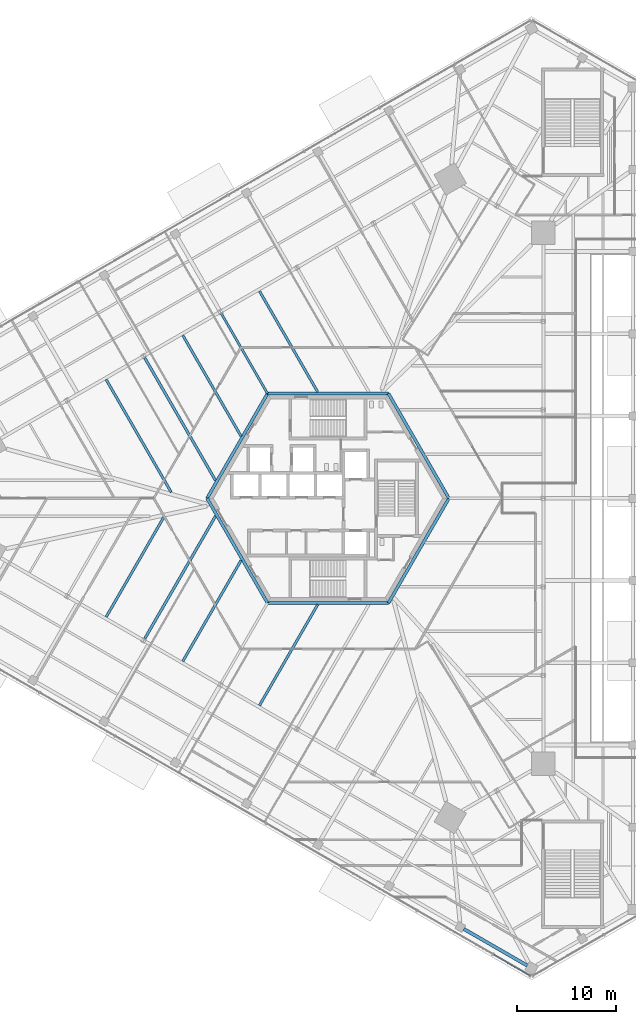
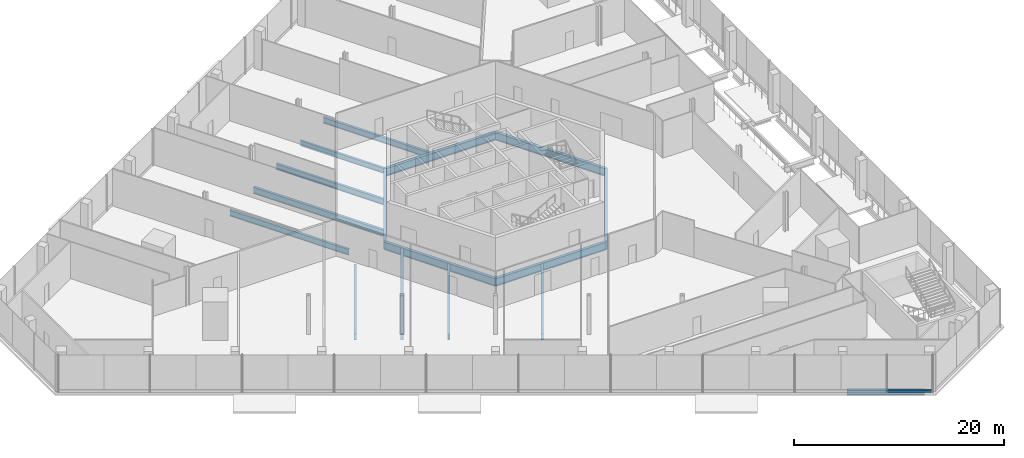
# One storey, part 9 of 27: 16 beams, 1 member, 1 element without a shape of its own.
"""IFC4 building model written with IfcOpenShell, lengths in metres."""

from ifc_helpers import new_model, si_unit, direction, frame, origin, origin_2d, place, context, subcontext, project, spatial, rectangle, i_section, extrude, source, transform, mapped, material, material_profile, profile_set, type_object, element, aggregate, save


model = new_model("IFC4")

# Units and contexts
model_context = context("Model", 3, precision=1e-05, world=origin(), true_north=direction((0.0, 1.0)))
body_context = subcontext(model_context, "Body", "Model", "MODEL_VIEW")
ifc_project = project(units=[si_unit("LENGTHUNIT", "METRE"), si_unit("AREAUNIT", "SQUARE_METRE"), si_unit("VOLUMEUNIT", "CUBIC_METRE"), si_unit("PLANEANGLEUNIT", "RADIAN"), si_unit("MASSUNIT", "GRAM", prefix="KILO")], contexts=[model_context])

# Site, building, storey
site_placement = place(None, origin())
site = spatial("IfcSite", under=ifc_project, at=site_placement, CompositionType="ELEMENT")
building_placement = place(site_placement, origin())
building = spatial("IfcBuilding", under=site, at=building_placement, Name="Triune Harvest Tower", CompositionType="ELEMENT")
storey_placement = place(building_placement, frame((0.0, 0.0, 7.0)))
storey = spatial("IfcBuildingStorey", under=building, at=storey_placement, Name="L01", CompositionType="ELEMENT", Elevation=7.0)

# Beams
ifc_material_1 = material(Name="Steel ASTM A992 Gr 50", Category="steel")
ifc_material_profile_1 = material_profile(ifc_material_1, i_section(OverallWidth=0.3046875, OverallDepth=0.914306640625, WebThickness=0.0166015625, FlangeThickness=0.02587890625, at=origin_2d()), Name="W36x160")
ifc_profile_set_1 = profile_set([ifc_material_profile_1], Name="Steel ASTM A992 Gr 50")
beam_type_1 = type_object("IfcBeamType", Name="CG-1 Core ring girder W36x160", PredefinedType="BEAM", material=ifc_profile_set_1)
shared_shape_1 = source(origin(), body_context, "Body", "SweptSolid", [
    extrude(i_section(OverallWidth=0.3046875, OverallDepth=0.914306640625, WebThickness=0.0166015625, FlangeThickness=0.02587890625, at=origin_2d()), origin(), (0.0, 0.0, 1.0), 12.176025390625),
])
for number, where, z_axis, x_axis, name in (
    (1, (12.176025390625, 0.0, -0.6572265625), (-0.5000099932, 0.866019634131, 0.0), (-0.866019634131, -0.5000099932, 0.0), "beam/L01/CG1"),
    (2, (-6.087890625, 10.544677734375, -0.6572265625), (-0.5000099932, -0.866019634131, 0.0), (0.866019634131, -0.5000099932, 0.0), "beam/L01/CG3"),
    (3, (-12.176025390625, 0.0, -0.6572265625), (0.5000099932, -0.866019634131, 0.0), (0.866019634131, 0.5000099932, 0.0), "beam/L01/CG4"),
    (4, (6.087890625, -10.544677734375, -0.6572265625), (0.5000099932, 0.866019634131, 0.0), (-0.866019634131, 0.5000099932, 0.0), "beam/L01/CG6"),
):
    element("IfcBeam", number, at=place(storey_placement, frame(where, z_axis=z_axis, x_axis=x_axis)), inside=storey, type_object=beam_type_1, Name=name, PredefinedType="BEAM", context=body_context, shape_type="MappedRepresentation", body=[
        mapped(shared_shape_1, transform((0.0, 0.0, 0.0), scale=1.0)),
    ])
shared_shape_2 = source(origin(), body_context, "Body", "SweptSolid", [
    extrude(i_section(OverallWidth=0.3046875, OverallDepth=0.914306640625, WebThickness=0.0166015625, FlangeThickness=0.02587890625, at=origin_2d()), origin(), (0.0, 0.0, 1.0), 12.17578125),
])
for number, where, z_axis, x_axis, name in (
    (5, (6.087890625, 10.544677734375, -0.6572265625), (-1.0, 0.0, 0.0), (0.0, -1.0, 0.0), "beam/L01/CG2"),
    (6, (-6.087890625, -10.544677734375, -0.6572265625), (1.0, 0.0, 0.0), (0.0, 1.0, 0.0), "beam/L01/CG5"),
):
    element("IfcBeam", number, at=place(storey_placement, frame(where, z_axis=z_axis, x_axis=x_axis)), inside=storey, type_object=beam_type_1, Name=name, PredefinedType="BEAM", context=body_context, shape_type="MappedRepresentation", body=[
        mapped(shared_shape_2, transform((0.0, 0.0, 0.0), scale=1.0)),
    ])
ifc_material_2 = material(Name="Steel ASTM A992 Gr 50", Category="steel")
ifc_material_profile_2 = material_profile(ifc_material_2, i_section(OverallWidth=0.2666015625, OverallDepth=0.7568359375, WebThickness=0.013916015625, FlangeThickness=0.019287109375, at=origin_2d()), Name="W30x108")
ifc_profile_set_2 = profile_set([ifc_material_profile_2], Name="Steel ASTM A992 Gr 50")
beam_type_2 = type_object("IfcBeamType", Name="JT-5 Floor joist W30x108", PredefinedType="JOIST", material=ifc_profile_set_2)
shared_shape_3 = source(origin(), body_context, "Body", "SweptSolid", [
    extrude(i_section(OverallWidth=0.2666015625, OverallDepth=0.7568359375, WebThickness=0.013916015625, FlangeThickness=0.019287109375, at=origin_2d()), origin(), (0.0, 0.0, 1.0), 14.2685546875),
])
for number, where, z_axis, x_axis, name in (
    (7, (-18.454345703125, 14.14404296875, -0.57861328125), (0.499987083308, -0.866032861112, 0.0), (0.866032861112, 0.499987083308, 0.0), "beam/L01/JT21"),
    (8, (-18.454345703125, -14.14404296875, -0.57861328125), (0.499987083308, 0.866032861112, 0.0), (-0.866032861112, 0.499987083308, 0.0), "beam/L01/JT30"),
):
    element("IfcBeam", number, at=place(storey_placement, frame(where, z_axis=z_axis, x_axis=x_axis)), inside=storey, type_object=beam_type_2, Name=name, PredefinedType="JOIST", context=body_context, shape_type="MappedRepresentation", body=[
        mapped(shared_shape_3, transform((0.0, 0.0, 0.0), scale=1.0)),
    ])
ifc_material_3 = material(Name="Steel ASTM A992 Gr 50", Category="steel")
ifc_material_profile_3 = material_profile(ifc_material_3, i_section(OverallWidth=0.253662109375, OverallDepth=0.683349609375, WebThickness=0.012451171875, FlangeThickness=0.01904296875, at=origin_2d()), Name="W27x94")
ifc_profile_set_3 = profile_set([ifc_material_profile_3], Name="Steel ASTM A992 Gr 50")
beam_type_3 = type_object("IfcBeamType", Name="JT-4 Floor joist W27x94", PredefinedType="JOIST", material=ifc_profile_set_3)
shared_shape_4 = source(origin(), body_context, "Body", "SweptSolid", [
    extrude(i_section(OverallWidth=0.253662109375, OverallDepth=0.683349609375, WebThickness=0.012451171875, FlangeThickness=0.01904296875, at=origin_2d()), origin(), (0.0, 0.0, 1.0), 11.744873046875),
])
for number, where, z_axis, x_axis, name in (
    (9, (-6.904052734375, 20.868408203125, -0.54150390625), (0.499991161602, -0.866030506576, 0.0), (0.866030506576, 0.499991161602, 0.0), "beam/L01/JT18"),
    (10, (-6.904052734375, -20.868408203125, -0.54150390625), (0.499991161602, 0.866030506576, 0.0), (-0.866030506576, 0.499991161602, 0.0), "beam/L01/JT33"),
):
    element("IfcBeam", number, at=place(storey_placement, frame(where, z_axis=z_axis, x_axis=x_axis)), inside=storey, type_object=beam_type_3, Name=name, PredefinedType="JOIST", context=body_context, shape_type="MappedRepresentation", body=[
        mapped(shared_shape_4, transform((0.0, 0.0, 0.0), scale=1.0)),
    ])
shared_shape_5 = source(origin(), body_context, "Body", "SweptSolid", [
    extrude(i_section(OverallWidth=0.253662109375, OverallDepth=0.683349609375, WebThickness=0.012451171875, FlangeThickness=0.01904296875, at=origin_2d()), origin(), (0.0, 0.0, 1.0), 11.616455078125),
])
beam_1_placement = place(storey_placement, frame((-22.336669921875, -11.958251953125, -0.54150390625), z_axis=(0.500011109571, 0.866018989576, 0.0), x_axis=(-0.866018989576, 0.500011109571, 0.0)))
element("IfcBeam", 11, at=beam_1_placement, inside=storey, type_object=beam_type_3, Name="beam/L01/JT29", PredefinedType="JOIST", context=body_context, shape_type="MappedRepresentation", body=[
    mapped(shared_shape_5, transform((0.0, 0.0, 0.0), scale=1.0)),
])
ifc_material_4 = material(Name="Steel ASTM A992 Gr 50", Category="steel")
ifc_material_profile_4 = material_profile(ifc_material_4, i_section(OverallWidth=0.22900390625, OverallDepth=0.612060546875, WebThickness=0.011962890625, FlangeThickness=0.01953125, at=origin_2d()), Name="W24x84")
ifc_profile_set_4 = profile_set([ifc_material_profile_4], Name="Steel ASTM A992 Gr 50")
beam_type_4 = type_object("IfcBeamType", Name="JT-3 Floor joist W24x84", PredefinedType="JOIST", material=ifc_profile_set_4)
shared_shape_6 = source(origin(), body_context, "Body", "SweptSolid", [
    extrude(i_section(OverallWidth=0.22900390625, OverallDepth=0.612060546875, WebThickness=0.011962890625, FlangeThickness=0.01953125, at=origin_2d()), origin(), (0.0, 0.0, 1.0), 9.300537109375),
])
beam_2_placement = place(storey_placement, frame((-10.738037109375, 18.59912109375, -0.506103515625), z_axis=(0.49999285859, -0.86602952684, 0.0), x_axis=(0.86602952684, 0.49999285859, 0.0)))
element("IfcBeam", 12, at=beam_2_placement, inside=storey, type_object=beam_type_4, Name="beam/L01/JT19", PredefinedType="JOIST", context=body_context, shape_type="MappedRepresentation", body=[
    mapped(shared_shape_6, transform((0.0, 0.0, 0.0), scale=1.0)),
])
shared_shape_7 = source(origin(), body_context, "Body", "SweptSolid", [
    extrude(i_section(OverallWidth=0.253662109375, OverallDepth=0.683349609375, WebThickness=0.012451171875, FlangeThickness=0.01904296875, at=origin_2d()), origin(), (0.0, 0.0, 1.0), 11.74462890625),
])
for number, where, z_axis, x_axis, name in (
    (13, (-14.620361328125, 16.413330078125, -0.54150390625), (0.500000162692, -0.866025309854, 0.0), (0.866025309854, 0.500000162692, 0.0), "beam/L01/JT20"),
    (14, (-14.620361328125, -16.413330078125, -0.54150390625), (0.500000162692, 0.866025309854, 0.0), (-0.866025309854, 0.500000162692, 0.0), "beam/L01/JT31"),
):
    element("IfcBeam", number, at=place(storey_placement, frame(where, z_axis=z_axis, x_axis=x_axis)), inside=storey, type_object=beam_type_3, Name=name, PredefinedType="JOIST", context=body_context, shape_type="MappedRepresentation", body=[
        mapped(shared_shape_7, transform((0.0, 0.0, 0.0), scale=1.0)),
    ])
shared_shape_8 = source(origin(), body_context, "Body", "SweptSolid", [
    extrude(i_section(OverallWidth=0.253662109375, OverallDepth=0.683349609375, WebThickness=0.012451171875, FlangeThickness=0.01904296875, at=origin_2d()), origin(), (0.0, 0.0, 1.0), 13.107421875),
])
beam_3_placement = place(storey_placement, frame((-22.336669921875, 11.958251953125, -0.54150390625), z_axis=(0.500001386263, -0.866024603424, 0.0), x_axis=(0.866024603424, 0.500001386263, 0.0)))
element("IfcBeam", 15, at=beam_3_placement, inside=storey, type_object=beam_type_3, Name="beam/L01/JT22", PredefinedType="JOIST", context=body_context, shape_type="MappedRepresentation", body=[
    mapped(shared_shape_8, transform((0.0, 0.0, 0.0), scale=1.0)),
])
ifc_material_5 = material(Name="Steel ASTM A992 Gr 50", Category="steel")
ifc_material_profile_5 = material_profile(ifc_material_5, i_section(OverallWidth=0.32763671875, OverallDepth=0.62744140625, WebThickness=0.0166015625, FlangeThickness=0.027587890625, at=origin_2d()), Name="W24x146")
ifc_profile_set_5 = profile_set([ifc_material_profile_5], Name="Steel ASTM A992 Gr 50")
beam_type_5 = type_object("IfcBeamType", Name="PD-4 Podium edge beam W24x146", PredefinedType="BEAM", material=ifc_profile_set_5)
shared_shape_9 = source(origin(), body_context, "Body", "SweptSolid", [
    extrude(i_section(OverallWidth=0.32763671875, OverallDepth=0.62744140625, WebThickness=0.0166015625, FlangeThickness=0.027587890625, at=origin_2d()), origin(), (0.0, 0.0, 1.0), 7.380126953125),
])
beam_4_placement = place(storey_placement, frame((13.671630859375, -43.360107421875, -0.513671875), z_axis=(0.866031888401, -0.499988768146, 0.0), x_axis=(0.499988768146, 0.866031888401, 0.0)))
element("IfcBeam", 16, at=beam_4_placement, inside=storey, type_object=beam_type_5, Name="beam/L01/PE35", PredefinedType="BEAM", context=body_context, shape_type="MappedRepresentation", body=[
    mapped(shared_shape_9, transform((0.0, 0.0, 0.0), scale=1.0)),
])

# Curtain wall, member
ifc_material_6 = material(Name="Aluminium bronze anodised", Category="aluminium")
curtain_wall_type = type_object("IfcCurtainWallType", Name="CW-2 Podium shopfront wall", PredefinedType="NOTDEFINED", material=ifc_material_6)
curtain_wall_placement = place(storey_placement, origin())
curtain_wall = element("IfcCurtainWall", 17, at=curtain_wall_placement, inside=storey, type_object=curtain_wall_type, Name="CW-2 PD-F5 L01 run 1")
ifc_material_7 = material(Name="Aluminium bronze anodised", Category="aluminium")
ifc_material_profile_6 = material_profile(ifc_material_7, rectangle(XDim=0.10009765625, YDim=0.300048828125, at=origin_2d()), Name="TR-2 transom 100 x 300")
ifc_profile_set_6 = profile_set([ifc_material_profile_6], Name="Aluminium bronze anodised")
member_type = type_object("IfcMemberType", Name="TR-2 transom 100 x 300", PredefinedType="USERDEFINED", material=ifc_profile_set_6)
shared_shape_10 = source(origin(), body_context, "Body", "SweptSolid", [
    extrude(rectangle(XDim=0.10009765625, YDim=0.300048828125, at=origin_2d()), origin(), (0.0, 0.0, 1.0), 4.258544921875),
])
member_placement = place(storey_placement, frame((16.652099609375, -45.934326171875, 0.14990234375), z_axis=(0.866011828767, -0.500023511883, 0.0), x_axis=(0.500023511883, 0.866011828767, 0.0)))
member = element("IfcMember", 18, at=member_placement, type_object=member_type, Name="CW-2 transom PD-F5 1.10", ObjectType="TRANSOM", PredefinedType="USERDEFINED", context=body_context, shape_type="MappedRepresentation", body=[
    mapped(shared_shape_10, transform((0.0, 0.0, 0.0), scale=1.0)),
])
aggregate(curtain_wall, [member])

save(model, "model.ifc")
